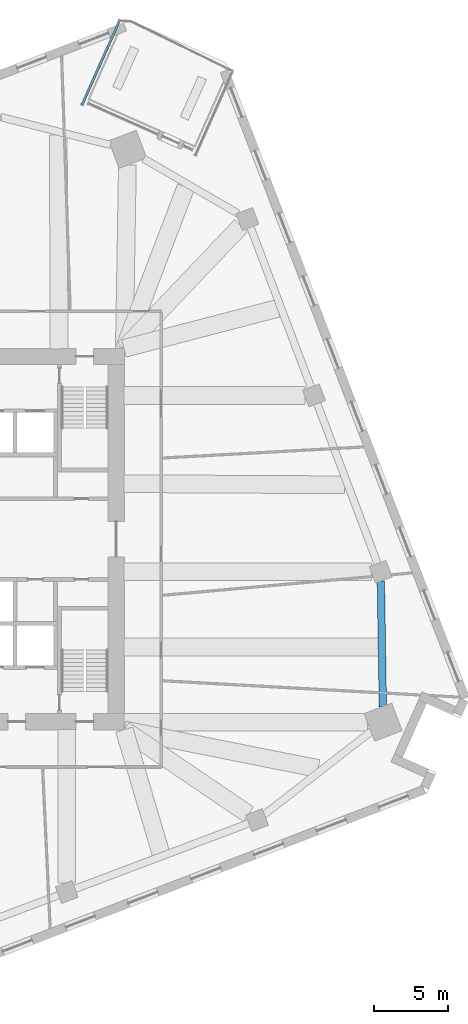
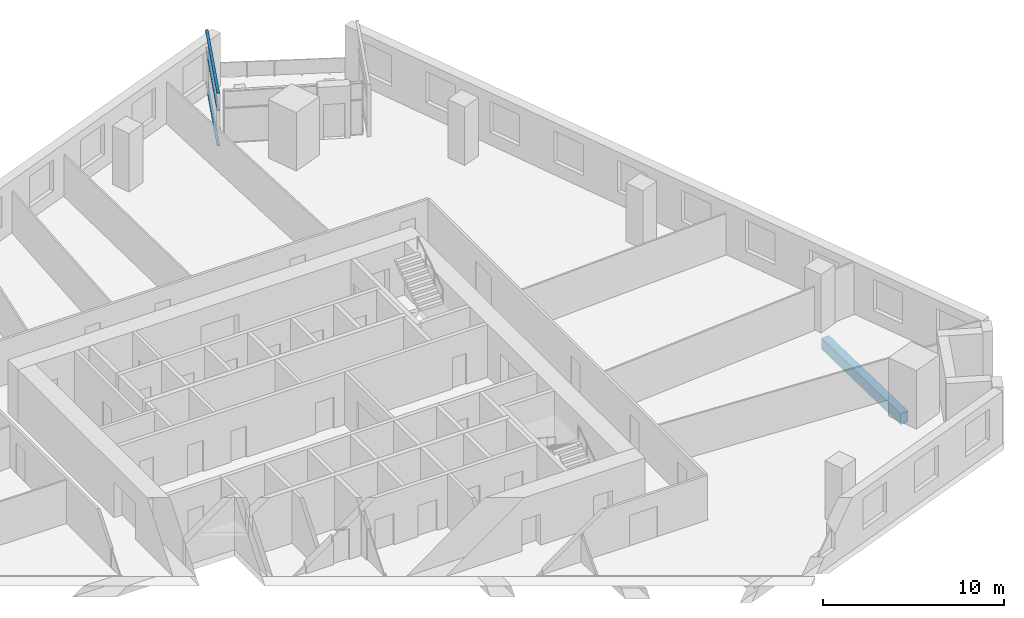
# One storey, part 3 of 14: 3 members, 1 beam, 1 element without a shape of its own.
"""IFC4 building model written with IfcOpenShell, lengths in metres."""

from ifc_helpers import new_model, si_unit, direction, frame, origin, origin_2d, place, context, subcontext, project, spatial, rectangle, extrude, material, material_profile, profile_set, type_object, element, aggregate, save


model = new_model("IFC4")

# Units and contexts
model_context = context("Model", 3, precision=1e-05, world=origin(), true_north=direction((0.0, 1.0)))
body_context = subcontext(model_context, "Body", "Model", "MODEL_VIEW")
ifc_project = project(units=[si_unit("LENGTHUNIT", "METRE"), si_unit("AREAUNIT", "SQUARE_METRE"), si_unit("VOLUMEUNIT", "CUBIC_METRE"), si_unit("PLANEANGLEUNIT", "RADIAN"), si_unit("MASSUNIT", "GRAM", prefix="KILO")], contexts=[model_context])

# Site, building, storey
site_placement = place(None, origin())
site = spatial("IfcSite", under=ifc_project, at=site_placement, CompositionType="ELEMENT")
building_placement = place(site_placement, origin())
building = spatial("IfcBuilding", under=site, at=building_placement, Name="Dilmun Exchange Tower", CompositionType="ELEMENT")
storey_placement = place(building_placement, frame((0.0, 0.0, 106.10009765625)))
storey = spatial("IfcBuildingStorey", under=building, at=storey_placement, Name="L24", CompositionType="ELEMENT", Elevation=106.10009765625)

# Curtain wall, members
ifc_material_1 = material(Name="Anodised aluminium and clear glass", Category="aluminium")
curtain_wall_type = type_object("IfcCurtainWallType", Name="Garden corner glazing", PredefinedType="NOTDEFINED", material=ifc_material_1)
curtain_wall_placement = place(storey_placement, origin())
curtain_wall = element("IfcCurtainWall", 1, at=curtain_wall_placement, inside=storey, type_object=curtain_wall_type, Name="Garden corner glazing run GC3.1", PredefinedType="NOTDEFINED")
ifc_material_2 = material(Name="Anodised aluminium", Category="aluminium")
ifc_material_profile_1 = material_profile(ifc_material_2, rectangle(XDim=0.159912109375, YDim=0.06005859375, at=origin_2d()), Name="AL 60x160")
ifc_profile_set_1 = profile_set([ifc_material_profile_1], Name="Anodised aluminium")
member_type = type_object("IfcMemberType", Name="Garden corner glazing transom 60 x 160", PredefinedType="USERDEFINED", material=ifc_profile_set_1)
member_1_placement = place(storey_placement, frame((10.048095703125, 29.390625, 0.02978515625), z_axis=(0.406741045913, 0.91354349736, 0.0), x_axis=(-0.91354349736, 0.406741045913, 0.0)))
member_1 = element("IfcMember", 2, at=member_1_placement, type_object=member_type, Name="GC3.1 transom 1.1", ObjectType="TRANSOM", PredefinedType="USERDEFINED", context=body_context, shape_type="SweptSolid", body=[
    extrude(rectangle(XDim=0.159912109375, YDim=0.06005859375, at=origin_2d()), origin(), (0.0, 0.0, 1.0), 6.126708984375),
])
member_2_placement = place(storey_placement, frame((10.048095703125, 29.390625, 2.39990234375), z_axis=(0.406741045913, 0.91354349736, 0.0), x_axis=(-0.91354349736, 0.406741045913, 0.0)))
member_2 = element("IfcMember", 3, at=member_2_placement, type_object=member_type, Name="GC3.1 transom 1.2", ObjectType="TRANSOM", PredefinedType="USERDEFINED", context=body_context, shape_type="SweptSolid", body=[
    extrude(rectangle(XDim=0.159912109375, YDim=0.06005859375, at=origin_2d()), origin(), (0.0, 0.0, 1.0), 6.126708984375),
])
member_3_placement = place(storey_placement, frame((10.048095703125, 29.390625, 3.5498046875), z_axis=(0.406741045913, 0.91354349736, 0.0), x_axis=(-0.91354349736, 0.406741045913, 0.0)))
member_3 = element("IfcMember", 4, at=member_3_placement, type_object=member_type, Name="GC3.1 transom 1.3", ObjectType="TRANSOM", PredefinedType="USERDEFINED", context=body_context, shape_type="SweptSolid", body=[
    extrude(rectangle(XDim=0.159912109375, YDim=0.06005859375, at=origin_2d()), origin(), (0.0, 0.0, 1.0), 6.126708984375),
])
aggregate(curtain_wall, [member_1, member_2, member_3])

# Beam
ifc_material_3 = material(Name="Concrete C40/50", Category="concrete")
ifc_material_profile_2 = material_profile(ifc_material_3, rectangle(XDim=0.5, YDim=0.75, at=origin_2d()), Name="500 x 750")
ifc_profile_set_2 = profile_set([ifc_material_profile_2], Name="Concrete C40/50")
beam_type = type_object("IfcBeamType", Name="RC ring beam 500 x 750 C40/50", PredefinedType="SPANDREL", material=ifc_profile_set_2)
beam_placement = place(storey_placement, frame((30.37744140625, -11.33544921875, -0.795166015625), z_axis=(-0.016054357527, 0.999871120497, 0.0), x_axis=(-0.999871120497, -0.016054357527, 0.0)))
element("IfcBeam", 5, at=beam_placement, inside=storey, type_object=beam_type, Name="Ring beam 13", PredefinedType="SPANDREL", context=body_context, shape_type="SweptSolid", body=[
    extrude(rectangle(XDim=0.5, YDim=0.75, at=origin_2d()), origin(), (0.0, 0.0, 1.0), 8.515869140625),
])

save(model, "model.ifc")
